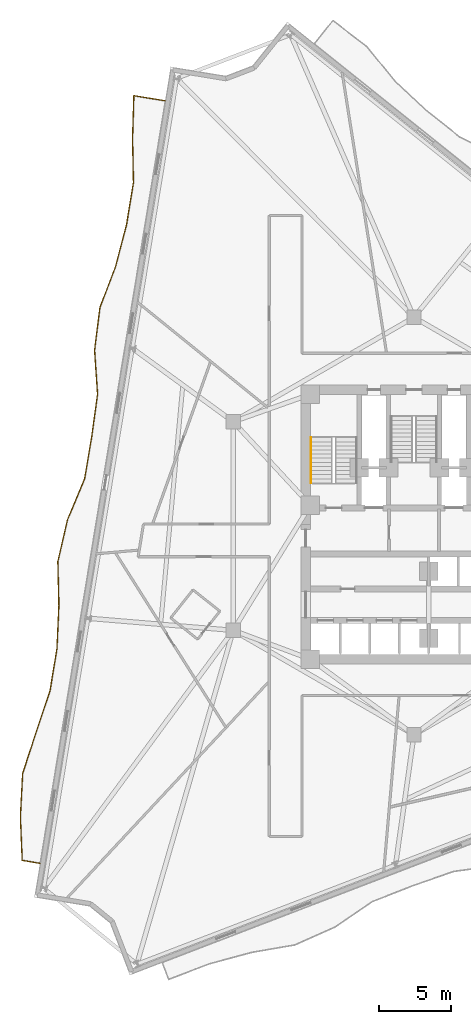
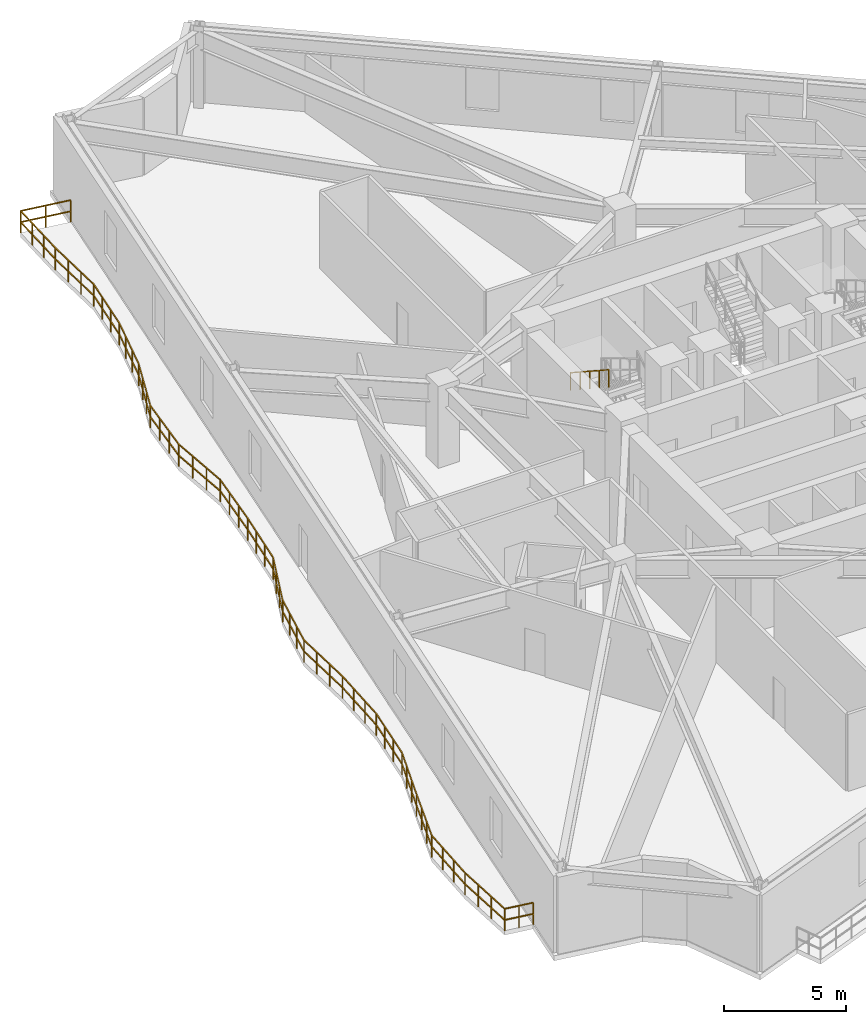
# One storey, part 9 of 11: 2 railings.
"""IFC4 building model written with IfcOpenShell, lengths in metres."""

from ifc_helpers import new_model, si_unit, direction, frame, origin, origin_2d, place, context, subcontext, project, spatial, rectangle, extrude, material, type_object, element, save


model = new_model("IFC4")

# Units and contexts
model_context = context("Model", 3, precision=1e-05, world=origin(), true_north=direction((0.0, 1.0)))
body_context = subcontext(model_context, "Body", "Model", "MODEL_VIEW")
ifc_project = project(units=[si_unit("LENGTHUNIT", "METRE"), si_unit("AREAUNIT", "SQUARE_METRE"), si_unit("VOLUMEUNIT", "CUBIC_METRE"), si_unit("PLANEANGLEUNIT", "RADIAN"), si_unit("MASSUNIT", "GRAM", prefix="KILO")], contexts=[model_context])

# Site, building, storey
site_placement = place(None, origin())
site = spatial("IfcSite", under=ifc_project, at=site_placement, CompositionType="ELEMENT")
building_placement = place(site_placement, origin())
building = spatial("IfcBuilding", under=site, at=building_placement, Name="Apsidion Concourse Tower", CompositionType="ELEMENT")
storey_placement = place(building_placement, frame((0.0, 0.0, 148.60009765625)))
storey = spatial("IfcBuildingStorey", under=building, at=storey_placement, Name="L34", CompositionType="ELEMENT", Elevation=148.60009765625)

# Railings
ifc_material = material(Name="Brushed stainless steel 316", Category="steel")
railing_type_1 = type_object("IfcRailingType", Name="RL-BAL-1120", PredefinedType="BALUSTRADE", material=ifc_material)
railing_1_placement = place(storey_placement, frame((-25.99072265625, -23.43701171875, 0.0)))
element("IfcRailing", 1, at=railing_1_placement, inside=storey, type_object=railing_type_1, Name="L34 Face 1 Rippling Balcony Balustrade", PredefinedType="BALUSTRADE", context=body_context, shape_type="SweptSolid", body=[
    extrude(rectangle(XDim=0.048095703125, YDim=0.048095703125, at=origin_2d()), frame((0.0, 0.0, 1.09619140625), z_axis=(-0.986776507438, 0.162086780363, 0.0), x_axis=(-0.162086780363, -0.986776507438, 0.0)), (0.0, 0.0, 1.0), 1.250244140625),
    extrude(rectangle(XDim=0.048095703125, YDim=0.048095703125, at=origin_2d()), frame((0.0, 0.0, 0.5361328125), z_axis=(-0.986776507438, 0.162086780363, 0.0), x_axis=(-0.162086780363, -0.986776507438, 0.0)), (0.0, 0.0, 1.0), 1.250244140625),
    extrude(rectangle(XDim=0.048095703125, YDim=0.048095703125, at=origin_2d()), frame((-1.233642578125, 0.20263671875, 1.09619140625), z_axis=(-0.04072030941, 0.999170584236, 0.0), x_axis=(-0.999170584236, -0.04072030941, 0.0)), (0.0, 0.0, 1.0), 3.045654296875),
    extrude(rectangle(XDim=0.048095703125, YDim=0.048095703125, at=origin_2d()), frame((-1.233642578125, 0.20263671875, 0.5361328125), z_axis=(-0.04072030941, 0.999170584236, 0.0), x_axis=(-0.999170584236, -0.04072030941, 0.0)), (0.0, 0.0, 1.0), 3.045654296875),
    extrude(rectangle(XDim=0.048095703125, YDim=0.048095703125, at=origin_2d()), frame((-1.357666015625, 3.245849609375, 1.09619140625), z_axis=(0.052225795361, 0.998635301949, 0.0), x_axis=(-0.998635301949, 0.052225795361, 0.0)), (0.0, 0.0, 1.0), 3.001220703125),
    extrude(rectangle(XDim=0.048095703125, YDim=0.048095703125, at=origin_2d()), frame((-1.357666015625, 3.245849609375, 0.5361328125), z_axis=(0.052225795361, 0.998635301949, 0.0), x_axis=(-0.998635301949, 0.052225795361, 0.0)), (0.0, 0.0, 1.0), 3.001220703125),
    extrude(rectangle(XDim=0.048095703125, YDim=0.048095703125, at=origin_2d()), frame((-1.200927734375, 6.242919921875, 1.09619140625), z_axis=(0.310130270221, 0.950694070399, 0.0), x_axis=(-0.950694070399, 0.310130270221, 0.0)), (0.0, 0.0, 1.0), 3.018310546875),
    extrude(rectangle(XDim=0.048095703125, YDim=0.048095703125, at=origin_2d()), frame((-1.200927734375, 6.242919921875, 0.5361328125), z_axis=(0.310130270221, 0.950694070399, 0.0), x_axis=(-0.950694070399, 0.310130270221, 0.0)), (0.0, 0.0, 1.0), 3.018310546875),
    extrude(rectangle(XDim=0.048095703125, YDim=0.048095703125, at=origin_2d()), frame((-0.264892578125, 9.1123046875, 1.09619140625), z_axis=(0.318989004102, 0.947758416086, 0.0), x_axis=(-0.947758416086, 0.318989004102, 0.0)), (0.0, 0.0, 1.0), 3.0224609375),
    extrude(rectangle(XDim=0.048095703125, YDim=0.048095703125, at=origin_2d()), frame((-0.264892578125, 9.1123046875, 0.5361328125), z_axis=(0.318989004102, 0.947758416086, 0.0), x_axis=(-0.947758416086, 0.318989004102, 0.0)), (0.0, 0.0, 1.0), 3.0224609375),
    extrude(rectangle(XDim=0.048095703125, YDim=0.048095703125, at=origin_2d()), frame((0.69921875, 11.976806640625, 1.09619140625), z_axis=(0.161969706487, 0.986795730727, 0.0), x_axis=(-0.986795730727, 0.161969706487, 0.0)), (0.0, 0.0, 1.0), 2.98291015625),
    extrude(rectangle(XDim=0.048095703125, YDim=0.048095703125, at=origin_2d()), frame((0.69921875, 11.976806640625, 0.5361328125), z_axis=(0.161969706487, 0.986795730727, 0.0), x_axis=(-0.986795730727, 0.161969706487, 0.0)), (0.0, 0.0, 1.0), 2.98291015625),
    extrude(rectangle(XDim=0.048095703125, YDim=0.048095703125, at=origin_2d()), frame((1.182373046875, 14.92041015625, 1.09619140625), z_axis=(0.045112689741, 0.998981904353, 0.0), x_axis=(-0.998981904353, 0.045112689741, 0.0)), (0.0, 0.0, 1.0), 3.003662109375),
    extrude(rectangle(XDim=0.048095703125, YDim=0.048095703125, at=origin_2d()), frame((1.182373046875, 14.92041015625, 0.5361328125), z_axis=(0.045112689741, 0.998981904353, 0.0), x_axis=(-0.998981904353, 0.045112689741, 0.0)), (0.0, 0.0, 1.0), 3.003662109375),
    extrude(rectangle(XDim=0.048095703125, YDim=0.048095703125, at=origin_2d()), frame((1.31787109375, 17.9208984375, 1.09619140625), z_axis=(-0.024526082133, 0.999699190404, 0.0), x_axis=(-0.999699190404, -0.024526082133, 0.0)), (0.0, 0.0, 1.0), 3.0361328125),
    extrude(rectangle(XDim=0.048095703125, YDim=0.048095703125, at=origin_2d()), frame((1.31787109375, 17.9208984375, 0.5361328125), z_axis=(-0.024526082133, 0.999699190404, 0.0), x_axis=(-0.999699190404, -0.024526082133, 0.0)), (0.0, 0.0, 1.0), 3.0361328125),
    extrude(rectangle(XDim=0.048095703125, YDim=0.048095703125, at=origin_2d()), frame((1.243408203125, 20.9560546875, 1.09619140625), z_axis=(0.224215184773, 0.974539661028, 0.0), x_axis=(-0.974539661028, 0.224215184773, 0.0)), (0.0, 0.0, 1.0), 2.989013671875),
    extrude(rectangle(XDim=0.048095703125, YDim=0.048095703125, at=origin_2d()), frame((1.243408203125, 20.9560546875, 0.5361328125), z_axis=(0.224215184773, 0.974539661028, 0.0), x_axis=(-0.974539661028, 0.224215184773, 0.0)), (0.0, 0.0, 1.0), 2.989013671875),
    extrude(rectangle(XDim=0.048095703125, YDim=0.048095703125, at=origin_2d()), frame((1.91357421875, 23.868896484375, 1.09619140625), z_axis=(0.386739779969, 0.922188886611, 0.0), x_axis=(-0.922188886611, 0.386739779969, 0.0)), (0.0, 0.0, 1.0), 3.066650390625),
    extrude(rectangle(XDim=0.048095703125, YDim=0.048095703125, at=origin_2d()), frame((1.91357421875, 23.868896484375, 0.5361328125), z_axis=(0.386739779969, 0.922188886611, 0.0), x_axis=(-0.922188886611, 0.386739779969, 0.0)), (0.0, 0.0, 1.0), 3.066650390625),
    extrude(rectangle(XDim=0.048095703125, YDim=0.048095703125, at=origin_2d()), frame((3.099609375, 26.697021484375, 1.09619140625), z_axis=(0.167119017275, 0.98593672924, 0.0), x_axis=(-0.98593672924, 0.167119017275, 0.0)), (0.0, 0.0, 1.0), 2.983154296875),
    extrude(rectangle(XDim=0.048095703125, YDim=0.048095703125, at=origin_2d()), frame((3.099609375, 26.697021484375, 0.5361328125), z_axis=(0.167119017275, 0.98593672924, 0.0), x_axis=(-0.98593672924, 0.167119017275, 0.0)), (0.0, 0.0, 1.0), 2.983154296875),
    extrude(rectangle(XDim=0.048095703125, YDim=0.048095703125, at=origin_2d()), frame((3.59814453125, 29.63818359375, 1.09619140625), z_axis=(0.135565906188, 0.99076833068, 0.0), x_axis=(-0.99076833068, 0.135565906188, 0.0)), (0.0, 0.0, 1.0), 2.984130859375),
    extrude(rectangle(XDim=0.048095703125, YDim=0.048095703125, at=origin_2d()), frame((3.59814453125, 29.63818359375, 0.5361328125), z_axis=(0.135565906188, 0.99076833068, 0.0), x_axis=(-0.99076833068, 0.135565906188, 0.0)), (0.0, 0.0, 1.0), 2.984130859375),
    extrude(rectangle(XDim=0.048095703125, YDim=0.048095703125, at=origin_2d()), frame((4.002685546875, 32.5947265625, 1.09619140625), z_axis=(-0.067100822715, 0.997746199988, 0.0), x_axis=(-0.997746199988, -0.067100822715, 0.0)), (0.0, 0.0, 1.0), 3.0634765625),
    extrude(rectangle(XDim=0.048095703125, YDim=0.048095703125, at=origin_2d()), frame((4.002685546875, 32.5947265625, 0.5361328125), z_axis=(-0.067100822715, 0.997746199988, 0.0), x_axis=(-0.997746199988, -0.067100822715, 0.0)), (0.0, 0.0, 1.0), 3.0634765625),
    extrude(rectangle(XDim=0.048095703125, YDim=0.048095703125, at=origin_2d()), frame((3.797119140625, 35.6513671875, 1.09619140625), z_axis=(0.124075000194, 0.992272842683, 0.0), x_axis=(-0.992272842683, 0.124075000194, 0.0)), (0.0, 0.0, 1.0), 2.98486328125),
    extrude(rectangle(XDim=0.048095703125, YDim=0.048095703125, at=origin_2d()), frame((3.797119140625, 35.6513671875, 0.5361328125), z_axis=(0.124075000194, 0.992272842683, 0.0), x_axis=(-0.992272842683, 0.124075000194, 0.0)), (0.0, 0.0, 1.0), 2.98486328125),
    extrude(rectangle(XDim=0.048095703125, YDim=0.048095703125, at=origin_2d()), frame((4.16748046875, 38.61328125, 1.09619140625), z_axis=(0.356188720435, 0.934414038548, 0.0), x_axis=(-0.934414038548, 0.356188720435, 0.0)), (0.0, 0.0, 1.0), 3.044677734375),
    extrude(rectangle(XDim=0.048095703125, YDim=0.048095703125, at=origin_2d()), frame((4.16748046875, 38.61328125, 0.5361328125), z_axis=(0.356188720435, 0.934414038548, 0.0), x_axis=(-0.934414038548, 0.356188720435, 0.0)), (0.0, 0.0, 1.0), 3.044677734375),
    extrude(rectangle(XDim=0.048095703125, YDim=0.048095703125, at=origin_2d()), frame((5.251953125, 41.458251953125, 1.09619140625), z_axis=(0.254308796615, 0.967123071778, 0.0), x_axis=(-0.967123071778, 0.254308796615, 0.0)), (0.0, 0.0, 1.0), 2.99609375),
    extrude(rectangle(XDim=0.048095703125, YDim=0.048095703125, at=origin_2d()), frame((5.251953125, 41.458251953125, 0.5361328125), z_axis=(0.254308796615, 0.967123071778, 0.0), x_axis=(-0.967123071778, 0.254308796615, 0.0)), (0.0, 0.0, 1.0), 2.99609375),
    extrude(rectangle(XDim=0.048095703125, YDim=0.048095703125, at=origin_2d()), frame((6.013916015625, 44.35595703125, 1.09619140625), z_axis=(0.161969706487, 0.986795730727, 0.0), x_axis=(-0.986795730727, 0.161969706487, 0.0)), (0.0, 0.0, 1.0), 2.98291015625),
    extrude(rectangle(XDim=0.048095703125, YDim=0.048095703125, at=origin_2d()), frame((6.013916015625, 44.35595703125, 0.5361328125), z_axis=(0.161969706487, 0.986795730727, 0.0), x_axis=(-0.986795730727, 0.161969706487, 0.0)), (0.0, 0.0, 1.0), 2.98291015625),
    extrude(rectangle(XDim=0.048095703125, YDim=0.048095703125, at=origin_2d()), frame((6.4970703125, 47.299560546875, 1.09619140625), z_axis=(-0.020522120001, 0.999789399119, 0.0), x_axis=(-0.999789399119, -0.020522120001, 0.0)), (0.0, 0.0, 1.0), 3.03369140625),
    extrude(rectangle(XDim=0.048095703125, YDim=0.048095703125, at=origin_2d()), frame((6.4970703125, 47.299560546875, 0.5361328125), z_axis=(-0.020522120001, 0.999789399119, 0.0), x_axis=(-0.999789399119, -0.020522120001, 0.0)), (0.0, 0.0, 1.0), 3.03369140625),
    extrude(rectangle(XDim=0.048095703125, YDim=0.048095703125, at=origin_2d()), frame((6.434814453125, 50.33251953125, 1.09619140625), z_axis=(0.03034070416, 0.999539614858, 0.0), x_axis=(-0.999539614858, 0.03034070416, 0.0)), (0.0, 0.0, 1.0), 3.009521484375),
    extrude(rectangle(XDim=0.048095703125, YDim=0.048095703125, at=origin_2d()), frame((6.434814453125, 50.33251953125, 0.5361328125), z_axis=(0.03034070416, 0.999539614858, 0.0), x_axis=(-0.999539614858, 0.03034070416, 0.0)), (0.0, 0.0, 1.0), 3.009521484375),
    extrude(rectangle(XDim=0.048095703125, YDim=0.048095703125, at=origin_2d()), frame((6.526123046875, 53.340576171875, 1.09619140625), z_axis=(0.986786973226, -0.162023052284, 0.0), x_axis=(0.162023052284, 0.986786973226, 0.0)), (0.0, 0.0, 1.0), 2.199951171875),
    extrude(rectangle(XDim=0.048095703125, YDim=0.048095703125, at=origin_2d()), frame((6.526123046875, 53.340576171875, 0.5361328125), z_axis=(0.986786973226, -0.162023052284, 0.0), x_axis=(0.162023052284, 0.986786973226, 0.0)), (0.0, 0.0, 1.0), 2.199951171875),
    extrude(rectangle(XDim=0.0419921875, YDim=0.0419921875, at=origin_2d()), origin(), (0.0, 0.0, 1.0), 1.072021484375),
    extrude(rectangle(XDim=0.0419921875, YDim=0.0419921875, at=origin_2d()), frame((-0.61669921875, 0.101318359375, 0.0)), (0.0, 0.0, 1.0), 1.072021484375),
    extrude(rectangle(XDim=0.0419921875, YDim=0.0419921875, at=origin_2d()), frame((-1.233642578125, 0.20263671875, 0.0)), (0.0, 0.0, 1.0), 1.072021484375),
    extrude(rectangle(XDim=0.0419921875, YDim=0.0419921875, at=origin_2d()), frame((-1.27490234375, 1.217041015625, 0.0)), (0.0, 0.0, 1.0), 1.072021484375),
    extrude(rectangle(XDim=0.0419921875, YDim=0.0419921875, at=origin_2d()), frame((-1.31640625, 2.2314453125, 0.0)), (0.0, 0.0, 1.0), 1.072021484375),
    extrude(rectangle(XDim=0.0419921875, YDim=0.0419921875, at=origin_2d()), frame((-1.357666015625, 3.245849609375, 0.0)), (0.0, 0.0, 1.0), 1.072021484375),
    extrude(rectangle(XDim=0.0419921875, YDim=0.0419921875, at=origin_2d()), frame((-1.305419921875, 4.244873046875, 0.0)), (0.0, 0.0, 1.0), 1.072021484375),
    extrude(rectangle(XDim=0.0419921875, YDim=0.0419921875, at=origin_2d()), frame((-1.253173828125, 5.243896484375, 0.0)), (0.0, 0.0, 1.0), 1.072021484375),
    extrude(rectangle(XDim=0.0419921875, YDim=0.0419921875, at=origin_2d()), frame((-1.200927734375, 6.242919921875, 0.0)), (0.0, 0.0, 1.0), 1.072021484375),
    extrude(rectangle(XDim=0.0419921875, YDim=0.0419921875, at=origin_2d()), frame((-0.888916015625, 7.199462890625, 0.0)), (0.0, 0.0, 1.0), 1.072021484375),
    extrude(rectangle(XDim=0.0419921875, YDim=0.0419921875, at=origin_2d()), frame((-0.576904296875, 8.15576171875, 0.0)), (0.0, 0.0, 1.0), 1.072021484375),
    extrude(rectangle(XDim=0.0419921875, YDim=0.0419921875, at=origin_2d()), frame((-0.264892578125, 9.1123046875, 0.0)), (0.0, 0.0, 1.0), 1.072021484375),
    extrude(rectangle(XDim=0.0419921875, YDim=0.0419921875, at=origin_2d()), frame((0.056396484375, 10.067138671875, 0.0)), (0.0, 0.0, 1.0), 1.072021484375),
    extrude(rectangle(XDim=0.0419921875, YDim=0.0419921875, at=origin_2d()), frame((0.3779296875, 11.02197265625, 0.0)), (0.0, 0.0, 1.0), 1.072021484375),
    extrude(rectangle(XDim=0.0419921875, YDim=0.0419921875, at=origin_2d()), frame((0.69921875, 11.976806640625, 0.0)), (0.0, 0.0, 1.0), 1.072021484375),
    extrude(rectangle(XDim=0.0419921875, YDim=0.0419921875, at=origin_2d()), frame((0.8603515625, 12.9580078125, 0.0)), (0.0, 0.0, 1.0), 1.072021484375),
    extrude(rectangle(XDim=0.0419921875, YDim=0.0419921875, at=origin_2d()), frame((1.021240234375, 13.939208984375, 0.0)), (0.0, 0.0, 1.0), 1.072021484375),
    extrude(rectangle(XDim=0.0419921875, YDim=0.0419921875, at=origin_2d()), frame((1.182373046875, 14.92041015625, 0.0)), (0.0, 0.0, 1.0), 1.072021484375),
    extrude(rectangle(XDim=0.0419921875, YDim=0.0419921875, at=origin_2d()), frame((1.2275390625, 15.920654296875, 0.0)), (0.0, 0.0, 1.0), 1.072021484375),
    extrude(rectangle(XDim=0.0419921875, YDim=0.0419921875, at=origin_2d()), frame((1.272705078125, 16.920654296875, 0.0)), (0.0, 0.0, 1.0), 1.072021484375),
    extrude(rectangle(XDim=0.0419921875, YDim=0.0419921875, at=origin_2d()), frame((1.31787109375, 17.9208984375, 0.0)), (0.0, 0.0, 1.0), 1.072021484375),
    extrude(rectangle(XDim=0.0419921875, YDim=0.0419921875, at=origin_2d()), frame((1.29296875, 18.9326171875, 0.0)), (0.0, 0.0, 1.0), 1.072021484375),
    extrude(rectangle(XDim=0.0419921875, YDim=0.0419921875, at=origin_2d()), frame((1.268310546875, 19.9443359375, 0.0)), (0.0, 0.0, 1.0), 1.072021484375),
    extrude(rectangle(XDim=0.0419921875, YDim=0.0419921875, at=origin_2d()), frame((1.243408203125, 20.9560546875, 0.0)), (0.0, 0.0, 1.0), 1.072021484375),
    extrude(rectangle(XDim=0.0419921875, YDim=0.0419921875, at=origin_2d()), frame((1.466796875, 21.927001953125, 0.0)), (0.0, 0.0, 1.0), 1.072021484375),
    extrude(rectangle(XDim=0.0419921875, YDim=0.0419921875, at=origin_2d()), frame((1.690185546875, 22.89794921875, 0.0)), (0.0, 0.0, 1.0), 1.072021484375),
    extrude(rectangle(XDim=0.0419921875, YDim=0.0419921875, at=origin_2d()), frame((1.91357421875, 23.868896484375, 0.0)), (0.0, 0.0, 1.0), 1.072021484375),
    extrude(rectangle(XDim=0.0419921875, YDim=0.0419921875, at=origin_2d()), frame((2.308837890625, 24.8115234375, 0.0)), (0.0, 0.0, 1.0), 1.072021484375),
    extrude(rectangle(XDim=0.0419921875, YDim=0.0419921875, at=origin_2d()), frame((2.704345703125, 25.75439453125, 0.0)), (0.0, 0.0, 1.0), 1.072021484375),
    extrude(rectangle(XDim=0.0419921875, YDim=0.0419921875, at=origin_2d()), frame((3.099609375, 26.697021484375, 0.0)), (0.0, 0.0, 1.0), 1.072021484375),
    extrude(rectangle(XDim=0.0419921875, YDim=0.0419921875, at=origin_2d()), frame((3.265869140625, 27.677490234375, 0.0)), (0.0, 0.0, 1.0), 1.072021484375),
    extrude(rectangle(XDim=0.0419921875, YDim=0.0419921875, at=origin_2d()), frame((3.431884765625, 28.65771484375, 0.0)), (0.0, 0.0, 1.0), 1.072021484375),
    extrude(rectangle(XDim=0.0419921875, YDim=0.0419921875, at=origin_2d()), frame((3.59814453125, 29.63818359375, 0.0)), (0.0, 0.0, 1.0), 1.072021484375),
    extrude(rectangle(XDim=0.0419921875, YDim=0.0419921875, at=origin_2d()), frame((3.73291015625, 30.623779296875, 0.0)), (0.0, 0.0, 1.0), 1.072021484375),
    extrude(rectangle(XDim=0.0419921875, YDim=0.0419921875, at=origin_2d()), frame((3.867919921875, 31.609130859375, 0.0)), (0.0, 0.0, 1.0), 1.072021484375),
    extrude(rectangle(XDim=0.0419921875, YDim=0.0419921875, at=origin_2d()), frame((4.002685546875, 32.5947265625, 0.0)), (0.0, 0.0, 1.0), 1.072021484375),
    extrude(rectangle(XDim=0.0419921875, YDim=0.0419921875, at=origin_2d()), frame((3.93408203125, 33.613525390625, 0.0)), (0.0, 0.0, 1.0), 1.072021484375),
    extrude(rectangle(XDim=0.0419921875, YDim=0.0419921875, at=origin_2d()), frame((3.86572265625, 34.632568359375, 0.0)), (0.0, 0.0, 1.0), 1.072021484375),
    extrude(rectangle(XDim=0.0419921875, YDim=0.0419921875, at=origin_2d()), frame((3.797119140625, 35.6513671875, 0.0)), (0.0, 0.0, 1.0), 1.072021484375),
    extrude(rectangle(XDim=0.0419921875, YDim=0.0419921875, at=origin_2d()), frame((3.920654296875, 36.638671875, 0.0)), (0.0, 0.0, 1.0), 1.072021484375),
    extrude(rectangle(XDim=0.0419921875, YDim=0.0419921875, at=origin_2d()), frame((4.0439453125, 37.6259765625, 0.0)), (0.0, 0.0, 1.0), 1.072021484375),
    extrude(rectangle(XDim=0.0419921875, YDim=0.0419921875, at=origin_2d()), frame((4.16748046875, 38.61328125, 0.0)), (0.0, 0.0, 1.0), 1.072021484375),
    extrude(rectangle(XDim=0.0419921875, YDim=0.0419921875, at=origin_2d()), frame((4.529052734375, 39.5615234375, 0.0)), (0.0, 0.0, 1.0), 1.072021484375),
    extrude(rectangle(XDim=0.0419921875, YDim=0.0419921875, at=origin_2d()), frame((4.890380859375, 40.510009765625, 0.0)), (0.0, 0.0, 1.0), 1.072021484375),
    extrude(rectangle(XDim=0.0419921875, YDim=0.0419921875, at=origin_2d()), frame((5.251953125, 41.458251953125, 0.0)), (0.0, 0.0, 1.0), 1.072021484375),
    extrude(rectangle(XDim=0.0419921875, YDim=0.0419921875, at=origin_2d()), frame((5.505859375, 42.424072265625, 0.0)), (0.0, 0.0, 1.0), 1.072021484375),
    extrude(rectangle(XDim=0.0419921875, YDim=0.0419921875, at=origin_2d()), frame((5.760009765625, 43.39013671875, 0.0)), (0.0, 0.0, 1.0), 1.072021484375),
    extrude(rectangle(XDim=0.0419921875, YDim=0.0419921875, at=origin_2d()), frame((6.013916015625, 44.35595703125, 0.0)), (0.0, 0.0, 1.0), 1.072021484375),
    extrude(rectangle(XDim=0.0419921875, YDim=0.0419921875, at=origin_2d()), frame((6.175048828125, 45.337158203125, 0.0)), (0.0, 0.0, 1.0), 1.072021484375),
    extrude(rectangle(XDim=0.0419921875, YDim=0.0419921875, at=origin_2d()), frame((6.3359375, 46.318359375, 0.0)), (0.0, 0.0, 1.0), 1.072021484375),
    extrude(rectangle(XDim=0.0419921875, YDim=0.0419921875, at=origin_2d()), frame((6.4970703125, 47.299560546875, 0.0)), (0.0, 0.0, 1.0), 1.072021484375),
    extrude(rectangle(XDim=0.0419921875, YDim=0.0419921875, at=origin_2d()), frame((6.476318359375, 48.310546875, 0.0)), (0.0, 0.0, 1.0), 1.072021484375),
    extrude(rectangle(XDim=0.0419921875, YDim=0.0419921875, at=origin_2d()), frame((6.45556640625, 49.321533203125, 0.0)), (0.0, 0.0, 1.0), 1.072021484375),
    extrude(rectangle(XDim=0.0419921875, YDim=0.0419921875, at=origin_2d()), frame((6.434814453125, 50.33251953125, 0.0)), (0.0, 0.0, 1.0), 1.072021484375),
    extrude(rectangle(XDim=0.0419921875, YDim=0.0419921875, at=origin_2d()), frame((6.46533203125, 51.335205078125, 0.0)), (0.0, 0.0, 1.0), 1.072021484375),
    extrude(rectangle(XDim=0.0419921875, YDim=0.0419921875, at=origin_2d()), frame((6.49560546875, 52.337890625, 0.0)), (0.0, 0.0, 1.0), 1.072021484375),
    extrude(rectangle(XDim=0.0419921875, YDim=0.0419921875, at=origin_2d()), frame((6.526123046875, 53.340576171875, 0.0)), (0.0, 0.0, 1.0), 1.072021484375),
    extrude(rectangle(XDim=0.0419921875, YDim=0.0419921875, at=origin_2d()), frame((7.611572265625, 53.162353515625, 0.0)), (0.0, 0.0, 1.0), 1.072021484375),
    extrude(rectangle(XDim=0.0419921875, YDim=0.0419921875, at=origin_2d()), frame((8.697021484375, 52.984130859375, 0.0)), (0.0, 0.0, 1.0), 1.072021484375),
])
railing_type_2 = type_object("IfcRailingType", Name="RL-HAND-900", PredefinedType="HANDRAIL", material=ifc_material)
railing_2_placement = place(storey_placement, frame((-7.14990234375, 6.135009765625, 2.220703125)))
element("IfcRailing", 2, at=railing_2_placement, inside=storey, type_object=railing_type_2, Name="L34 ST1 stair handrail 2", PredefinedType="HANDRAIL", context=body_context, shape_type="SweptSolid", body=[
    extrude(rectangle(XDim=0.048095703125, YDim=0.048095703125, at=origin_2d()), frame((0.0, 0.0, 0.8759765625), z_axis=(0.0, -0.836940907821, 0.547293263996), x_axis=(1.0, 0.0, 0.0)), (0.0, 0.0, 1.0), 3.745849609375),
    extrude(rectangle(XDim=0.0419921875, YDim=0.0419921875, at=origin_2d()), origin(), (0.0, 0.0, 1.0), 0.851806640625),
    extrude(rectangle(XDim=0.0419921875, YDim=0.0419921875, at=origin_2d()), frame((0.0, -0.78369140625, 0.512451171875)), (0.0, 0.0, 1.0), 0.851806640625),
    extrude(rectangle(XDim=0.0419921875, YDim=0.0419921875, at=origin_2d()), frame((0.0, -1.5673828125, 1.02490234375)), (0.0, 0.0, 1.0), 0.851806640625),
    extrude(rectangle(XDim=0.0419921875, YDim=0.0419921875, at=origin_2d()), frame((0.0, -2.351318359375, 1.53759765625)), (0.0, 0.0, 1.0), 0.851806640625),
    extrude(rectangle(XDim=0.0419921875, YDim=0.0419921875, at=origin_2d()), frame((0.0, -3.135009765625, 2.050048828125)), (0.0, 0.0, 1.0), 0.851806640625),
])

save(model, "model.ifc")
